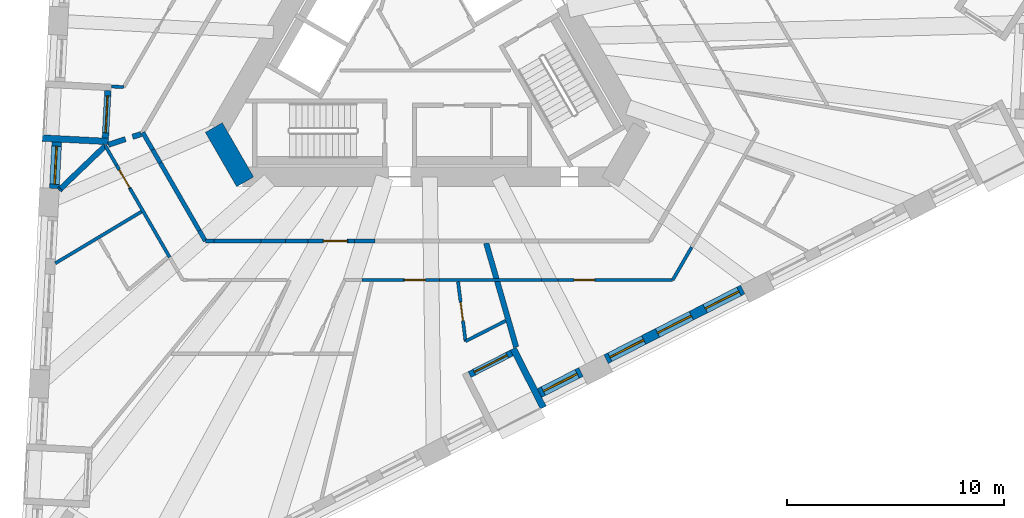
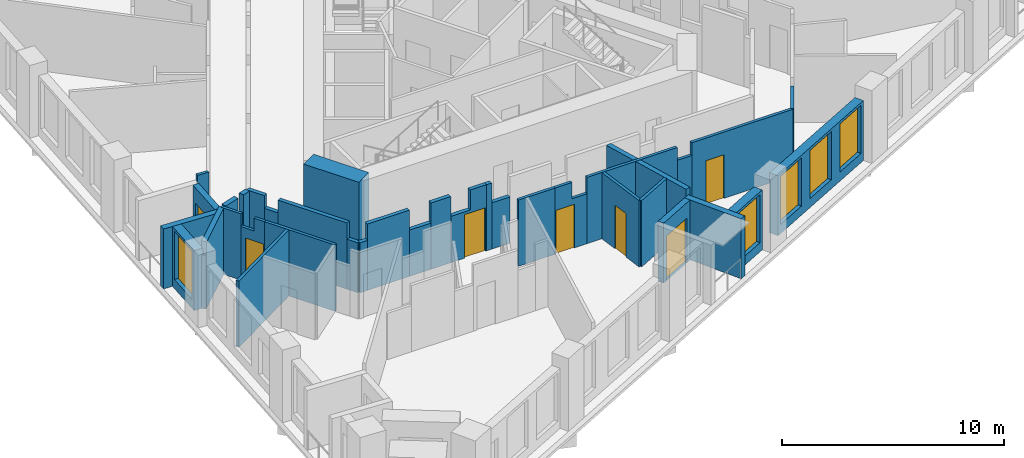
# One storey, part 3 of 13: 37 walls, 7 doors, 5 windows, 12 openings.
"""IFC4 building model written with IfcOpenShell, lengths in metres."""

import ifcopenshell
import ifcopenshell.guid

model = None  # the IFC model being written
_history = None  # IfcOwnerHistory: only IFC2X3 demands one
_inside = {}  # id of a spatial element -> (the spatial element, [elements in it])
_under = {}  # id of a project, library or spatial element -> (it, [spatial elements below it])
_declared = {}  # id of a project -> (the project, [libraries it declares])
_typed = {}  # id of a type object -> (the type object, [elements of that type])
_made_of = {}  # id of a material, layer set ... -> (it, [elements and type objects made of it])


def new_model(schema):
    """Start an empty IFC model of exactly this schema.

    Asked for "IFC4X3", IfcOpenShell would pick the latest addendum, in which some entities
    have other attributes; the version numbers below select the first issue.
    IFC2X3 requires an IfcOwnerHistory on every rooted entity: one is made here for all.
    """
    global model, _history
    if schema == "IFC4X3":
        model = ifcopenshell.file(schema_version=(4, 3, 0, 0))
    else:
        model = ifcopenshell.file(schema=schema)
    _inside.clear()
    _under.clear()
    _declared.clear()
    _typed.clear()
    _made_of.clear()
    _history = None
    if model.schema == "IFC2X3":
        org = make("IfcOrganization", Name="unknown")
        user = make(
            "IfcPersonAndOrganization",
            ThePerson=make("IfcPerson", FamilyName="unknown"),
            TheOrganization=org,
        )
        app = make(
            "IfcApplication",
            ApplicationDeveloper=org,
            Version="unknown",
            ApplicationFullName="unknown",
            ApplicationIdentifier="unknown",
        )
        _history = make(
            "IfcOwnerHistory",
            OwningUser=user,
            OwningApplication=app,
            ChangeAction="ADDED",
            CreationDate=0,
        )
    return model


def make(cls, **values):
    """One entity of the class cls with the attributes given. An attribute that is None is left unset."""
    return model.create_entity(
        cls, **{name: value for name, value in values.items() if value is not None}
    )


def rooted(cls, **values):
    """An entity with a GlobalId (a new one), such as an element, a storey or a relation."""
    return make(cls, GlobalId=ifcopenshell.guid.new(), OwnerHistory=_history, **values)


def si_unit(unit_type, name, prefix=None):
    """IfcSIUnit, for example si_unit("LENGTHUNIT", "METRE", prefix="MILLI")."""
    return make("IfcSIUnit", UnitType=unit_type, Prefix=prefix, Name=name)


def assignment(units):
    """IfcUnitAssignment: the units of a project."""
    return None if units is None else make("IfcUnitAssignment", Units=units)


def point(xyz):
    """IfcCartesianPoint."""
    return None if xyz is None else make("IfcCartesianPoint", Coordinates=xyz)


def direction(xyz):
    """IfcDirection."""
    return None if xyz is None else make("IfcDirection", DirectionRatios=xyz)


def frame(location, z_axis=None, x_axis=None):
    """IfcAxis2Placement3D, a coordinate frame: its origin and axes. An axis left out is left unset."""
    return make(
        "IfcAxis2Placement3D",
        Location=point(location),
        Axis=direction(z_axis),
        RefDirection=direction(x_axis),
    )


def frame_2d(location, x_axis=None):
    """IfcAxis2Placement2D, a coordinate frame in the plane: its origin and x axis."""
    return make(
        "IfcAxis2Placement2D", Location=point(location), RefDirection=direction(x_axis)
    )


def origin():
    """The frame at (0, 0, 0) with its axes left unset."""
    return frame((0.0, 0.0, 0.0))


def place(relative_to, where):
    """IfcLocalPlacement: puts the frame where relative to a parent placement (None: the world)."""
    return make(
        "IfcLocalPlacement", PlacementRelTo=relative_to, RelativePlacement=where
    )


def context(
    kind, dimensions, precision=None, world=None, true_north=None, identifier=None
):
    """IfcGeometricRepresentationContext, for example the 3D "Model" context."""
    return make(
        "IfcGeometricRepresentationContext",
        ContextIdentifier=identifier,
        ContextType=kind,
        CoordinateSpaceDimension=dimensions,
        Precision=precision,
        WorldCoordinateSystem=world,
        TrueNorth=true_north,
    )


def subcontext(parent, identifier, kind, view, scale=None):
    """IfcGeometricRepresentationSubContext, for example "Body" below "Model"."""
    return make(
        "IfcGeometricRepresentationSubContext",
        ContextIdentifier=identifier,
        ContextType=kind,
        ParentContext=parent,
        TargetScale=scale,
        TargetView=view,
    )


def project(units=None, contexts=None):
    """IfcProject with its units and contexts."""
    return rooted(
        "IfcProject",
        Name="project",
        RepresentationContexts=contexts,
        UnitsInContext=assignment(units),
    )


def spatial(cls, under=None, at=None, **own):
    """A site, building, storey or space (cls), placed at a placement, below another one or the project."""
    s = rooted(cls, ObjectPlacement=at, **own)
    if under is not None:
        _under.setdefault(under.id(), (under, []))[1].append(s)
    return s


def polyline(points):
    """IfcPolyline through the points."""
    return make("IfcPolyline", Points=[point(p) for p in points])


def profile(cls, at=None, kind="AREA", **sizes):
    """A parametric profile (cls). Its sizes go by their IFC names, for example OverallWidth=200.0."""
    return make(cls, ProfileType=kind, Position=at, **sizes)


def rectangle(**sizes):
    """IfcRectangleProfileDef."""
    return profile("IfcRectangleProfileDef", **sizes)


def outline(outer, holes=None, kind="AREA"):
    """IfcArbitraryClosedProfileDef: a profile drawn as a closed curve; with holes, ...WithVoids."""
    if holes is None:
        return make("IfcArbitraryClosedProfileDef", ProfileType=kind, OuterCurve=outer)
    return make(
        "IfcArbitraryProfileDefWithVoids",
        ProfileType=kind,
        OuterCurve=outer,
        InnerCurves=holes,
    )


def extrude(swept, where, along, depth):
    """IfcExtrudedAreaSolid: the profile swept, set in the frame where, extruded along a direction by depth."""
    return make(
        "IfcExtrudedAreaSolid",
        SweptArea=swept,
        Position=where,
        ExtrudedDirection=direction(along),
        Depth=depth,
    )


def shape(context_of_items, identifier, shape_type, items):
    """IfcShapeRepresentation: the items that make up one representation, for example the "Body"."""
    return make(
        "IfcShapeRepresentation",
        ContextOfItems=context_of_items,
        RepresentationIdentifier=identifier,
        RepresentationType=shape_type,
        Items=items,
    )


def material(Name=None, Category=None):
    """IfcMaterial."""
    return make("IfcMaterial", Name=Name, Category=Category)


def layer(
    of_material, thickness, ventilated=None, Name=None, Category=None, Priority=None
):
    """IfcMaterialLayer: one layer of a wall or slab, of a material (None: an air gap)."""
    return make(
        "IfcMaterialLayer",
        Material=of_material,
        LayerThickness=thickness,
        IsVentilated=ventilated,
        Name=Name,
        Category=Category,
        Priority=Priority,
    )


def layer_set(layers, Name=None):
    """IfcMaterialLayerSet."""
    return make("IfcMaterialLayerSet", MaterialLayers=layers, LayerSetName=Name)


def made_of(thing, what):
    """Note that an element or type object is made of a material, layer set ...; save() writes the relation."""
    if what is not None:
        _made_of.setdefault(what.id(), (what, []))[1].append(thing)
    return thing


def type_object(cls, material=None, **own):
    """A type object (cls), such as IfcWallType, which elements share."""
    return made_of(rooted(cls, **own), material)


def element(
    cls,
    number,
    at=None,
    inside=None,
    cuts=None,
    type_object=None,
    material=None,
    context=None,
    identifier="Body",
    shape_type=None,
    held_by="IfcProductDefinitionShape",
    body=None,
    shapes=None,
    **own,
):
    """One element of the class cls, such as IfcWall. Its Tag is "e" and its number.

    at: its placement. inside: the storey or other place that contains it. cuts: it is an
    opening in that element (IfcRelVoidsElement). A single representation is given by context,
    identifier, shape_type and body (its items); several are given by shapes. held_by: the class
    of the entity that holds the representations. save() writes the other relations.
    """
    e = rooted(cls, Tag="e%d" % number, ObjectPlacement=at, **own)
    if body is not None:
        shapes = [shape(context, identifier, shape_type, body)]
    if shapes is not None:
        e.Representation = make(held_by, Representations=shapes)
    if inside is not None:
        _inside.setdefault(inside.id(), (inside, []))[1].append(e)
    if cuts is not None:
        rooted(
            "IfcRelVoidsElement", RelatingBuildingElement=cuts, RelatedOpeningElement=e
        )
    if type_object is not None:
        _typed.setdefault(type_object.id(), (type_object, []))[1].append(e)
    return made_of(e, material)


def fill(opening, filler):
    """IfcRelFillsElement: the door or window that sits in an opening."""
    return rooted(
        "IfcRelFillsElement",
        RelatingOpeningElement=opening,
        RelatedBuildingElement=filler,
    )


def aggregate(whole, parts):
    """IfcRelAggregates: a whole, such as a stair, and the parts it consists of."""
    return rooted("IfcRelAggregates", RelatingObject=whole, RelatedObjects=parts)


def save(model, path):
    """Write the relations noted so far, then the file.

    IfcRelAggregates (storeys below a building ...), IfcRelContainedInSpatialStructure (elements
    in a storey), IfcRelDefinesByType, IfcRelAssociatesMaterial and IfcRelDeclares: one each for
    every whole, place, type object, material and project.
    """
    for whole, parts in _under.values():
        aggregate(whole, parts)
    for where, things in _inside.values():
        rooted(
            "IfcRelContainedInSpatialStructure",
            RelatedElements=things,
            RelatingStructure=where,
        )
    for kind, things in _typed.values():
        rooted("IfcRelDefinesByType", RelatedObjects=things, RelatingType=kind)
    for what, things in _made_of.values():
        rooted("IfcRelAssociatesMaterial", RelatedObjects=things, RelatingMaterial=what)
    for by, libraries in _declared.values():
        rooted("IfcRelDeclares", RelatingContext=by, RelatedDefinitions=libraries)
    model.write(path)


model = new_model("IFC4")

# Units and contexts
model_context = context("Model", 3, precision=1e-05, world=origin(), true_north=direction((0.0, 1.0)))
body_context = subcontext(model_context, "Body", "Model", "MODEL_VIEW")
ifc_project = project(units=[si_unit("LENGTHUNIT", "METRE"), si_unit("AREAUNIT", "SQUARE_METRE"), si_unit("VOLUMEUNIT", "CUBIC_METRE"), si_unit("PLANEANGLEUNIT", "RADIAN"), si_unit("MASSUNIT", "GRAM", prefix="KILO")], contexts=[model_context])

# Site, building, storey
site_placement = place(None, origin())
site = spatial("IfcSite", under=ifc_project, at=site_placement, CompositionType="ELEMENT")
building_placement = place(site_placement, origin())
building = spatial("IfcBuilding", under=site, at=building_placement, Name="Tramontana Tower", CompositionType="ELEMENT")
storey_placement = place(building_placement, frame((0.0, 0.0, 145.60009765625)))
storey = spatial("IfcBuildingStorey", under=building, at=storey_placement, Name="L33", CompositionType="ELEMENT", Elevation=145.60009765625)

# Walls
ifc_material_1 = material(Name="Concrete 70 MPa", Category="concrete")
ifc_layer_1 = layer(ifc_material_1, 0.89990234375)
ifc_layer_set_1 = layer_set([ifc_layer_1], Name="Core wall 900 70 MPa")
wall_type_1 = type_object("IfcWallType", Name="Core wall 900 70 MPa", PredefinedType="SHEAR", material=ifc_layer_set_1)
wall_1_placement = place(storey_placement, frame((-9.8583984375, -4.02490234375, 0.0), z_axis=(0.0, 0.0, 1.0), x_axis=(0.500059191753, -0.865991226713, 0.0)))
element("IfcWall", 1, at=wall_1_placement, inside=storey, type_object=wall_type_1, Name="Core wall C2 L33", PredefinedType="SHEAR", context=body_context, shape_type="SweptSolid", body=[
    extrude(rectangle(XDim=2.886962890625, YDim=0.89990234375, at=frame_2d((1.443359375, 0.0))), origin(), (0.0, 0.0, 1.0), 4.0),
])
ifc_material_2 = material(Name="Blockwork", Category="masonry")
ifc_layer_2 = layer(ifc_material_2, 0.199951171875)
ifc_layer_set_2 = layer_set([ifc_layer_2], Name="ENTRY WALL 200")
wall_type_2 = type_object("IfcWallType", Name="ENTRY WALL 200", PredefinedType="SOLIDWALL", material=ifc_layer_set_2)
wall_2_placement = place(storey_placement, frame((-2.441162109375, -9.25, 0.0), z_axis=(0.0, 0.0, 1.0), x_axis=(-1.0, 0.0, 0.0)))
element("IfcWall", 2, at=wall_2_placement, inside=storey, type_object=wall_type_2, Name="Wall v31-ew2-5", PredefinedType="SOLIDWALL", context=body_context, shape_type="SweptSolid", body=[
    extrude(rectangle(XDim=0.943603515625, YDim=0.199951171875, at=frame_2d((0.4716796875, 0.0))), origin(), (0.0, 0.0, 1.0), 2.5498046875),
])
wall_3_placement = place(storey_placement, frame((-3.384765625, -9.25, 0.0), z_axis=(0.0, 0.0, 1.0), x_axis=(-1.0, 0.0, 0.0)))
element("IfcWall", 3, at=wall_3_placement, inside=storey, type_object=wall_type_2, Name="Wall v31-ew2-6", PredefinedType="SOLIDWALL", context=body_context, shape_type="SweptSolid", body=[
    extrude(rectangle(XDim=0.280517578125, YDim=0.199951171875, at=frame_2d((0.14013671875, 0.0))), origin(), (0.0, 0.0, 1.0), 3.64990234375),
])

# Wall, opening, door
wall_4_placement = place(storey_placement, frame((-3.665283203125, -9.25, 0.0), z_axis=(0.0, 0.0, 1.0), x_axis=(-1.0, 0.0, 0.0)))
wall_4 = element("IfcWall", 4, at=wall_4_placement, inside=storey, type_object=wall_type_2, Name="Wall v31-ew2-7", PredefinedType="SOLIDWALL", context=body_context, shape_type="SweptSolid", body=[
    extrude(outline(polyline([(0.0, 0.0), (1.85693359375, 0.0), (1.85693359375, 2.5498046875), (0.833251953125, 2.5498046875), (0.833251953125, 3.64990234375), (0.0, 3.64990234375), (0.0, 0.0)])), frame((0.0, 0.10009765625, 0.0), z_axis=(0.0, -1.0, 0.0), x_axis=(1.0, 0.0, 0.0)), (0.0, 0.0, 1.0), 0.199951171875),
])
opening_1_placement = place(wall_4_placement, frame((0.050048828125, 0.0, 0.0)))
opening_1 = element("IfcOpeningElement", 5, at=opening_1_placement, cuts=wall_4, Name="Opening B3B-27", PredefinedType="OPENING", context=body_context, shape_type="SweptSolid", body=[
    extrude(rectangle(XDim=1.10009765625, YDim=2.39990234375, at=frame_2d((0.550048828125, 1.199951171875))), frame((0.0, 0.10986328125, 0.0), z_axis=(0.0, -1.0, 0.0), x_axis=(1.0, 0.0, 0.0)), (0.0, 0.0, 1.0), 0.219970703125),
])
ifc_material_3 = material(Name="Painted timber", Category="wood")
door_type_1 = type_object("IfcDoorType", Name="DOOR ENTRY 1100", OperationType="SINGLE_SWING_LEFT", PredefinedType="DOOR", material=ifc_material_3)
door_1_placement = place(opening_1_placement, origin())
door_1 = element("IfcDoor", 6, at=door_1_placement, inside=storey, type_object=door_type_1, Name="Door B3B-27", OperationType="SINGLE_SWING_LEFT", OverallHeight=2.39990234375, OverallWidth=1.10009765625, PredefinedType="DOOR", context=body_context, shape_type="SweptSolid", body=[
    extrude(rectangle(XDim=1.10009765625, YDim=2.39990234375, at=frame_2d((0.550048828125, 1.199951171875))), frame((0.0, 0.02490234375, 0.0), z_axis=(0.0, -1.0, 0.0), x_axis=(1.0, 0.0, 0.0)), (0.0, 0.0, 1.0), 0.050048828125),
])
fill(opening_1, door_1)

# Walls
wall_5_placement = place(storey_placement, frame((-5.522216796875, -9.25, 0.0), z_axis=(0.0, 0.0, 1.0), x_axis=(-1.0, 0.0, 0.0)))
element("IfcWall", 7, at=wall_5_placement, inside=storey, type_object=wall_type_2, Name="Wall v31-ew2-8", PredefinedType="SOLIDWALL", context=body_context, shape_type="SweptSolid", body=[
    extrude(rectangle(XDim=1.0224609375, YDim=0.199951171875, at=frame_2d((0.51123046875, 0.0))), origin(), (0.0, 0.0, 1.0), 3.64990234375),
])
wall_6_placement = place(storey_placement, frame((-6.544677734375, -9.25, 0.0), z_axis=(0.0, 0.0, 1.0), x_axis=(-1.0, 0.0, 0.0)))
element("IfcWall", 8, at=wall_6_placement, inside=storey, type_object=wall_type_2, Name="Wall v31-ew2-9", PredefinedType="SOLIDWALL", context=body_context, shape_type="SweptSolid", body=[
    extrude(rectangle(XDim=1.13525390625, YDim=0.199951171875, at=frame_2d((0.567626953125, 0.0))), origin(), (0.0, 0.0, 1.0), 2.5498046875),
])
wall_7_placement = place(storey_placement, frame((-7.679931640625, -9.25, 0.0), z_axis=(0.0, 0.0, 1.0), x_axis=(-1.0, 0.0, 0.0)))
element("IfcWall", 9, at=wall_7_placement, inside=storey, type_object=wall_type_2, Name="Wall v31-ew2-10", PredefinedType="SOLIDWALL", context=body_context, shape_type="SweptSolid", body=[
    extrude(rectangle(XDim=2.1787109375, YDim=0.199951171875, at=frame_2d((1.08935546875, 0.0))), origin(), (0.0, 0.0, 1.0), 3.64990234375),
])
wall_8_placement = place(storey_placement, frame((-9.858642578125, -9.25, 0.0), z_axis=(0.0, 0.0, 1.0), x_axis=(-1.0, 0.0, 0.0)))
element("IfcWall", 10, at=wall_8_placement, inside=storey, type_object=wall_type_2, Name="Wall v31-ew2-11", PredefinedType="SOLIDWALL", context=body_context, shape_type="SweptSolid", body=[
    extrude(rectangle(XDim=0.389404296875, YDim=0.199951171875, at=frame_2d((0.19482421875, 0.0))), origin(), (0.0, 0.0, 1.0), 2.75),
])
wall_9_placement = place(storey_placement, frame((-10.248046875, -9.25, 0.0), z_axis=(0.0, 0.0, 1.0), x_axis=(-0.499887958344, 0.866090081402, 0.0)))
element("IfcWall", 11, at=wall_9_placement, inside=storey, type_object=wall_type_2, Name="Wall v31-ew3-0", PredefinedType="SOLIDWALL", context=body_context, shape_type="SweptSolid", body=[
    extrude(rectangle(XDim=0.553466796875, YDim=0.199951171875, at=frame_2d((0.27685546875, 0.0))), origin(), (0.0, 0.0, 1.0), 2.75),
])
wall_10_placement = place(storey_placement, frame((-10.524658203125, -8.770751953125, 0.0), z_axis=(0.0, 0.0, 1.0), x_axis=(-0.500031425827, 0.866007259314, 0.0)))
element("IfcWall", 12, at=wall_10_placement, inside=storey, type_object=wall_type_2, Name="Wall v31-ew3-1", PredefinedType="SOLIDWALL", context=body_context, shape_type="SweptSolid", body=[
    extrude(rectangle(XDim=3.602294921875, YDim=0.199951171875, at=frame_2d((1.80126953125, 0.0))), origin(), (0.0, 0.0, 1.0), 3.64990234375),
])
wall_11_placement = place(storey_placement, frame((-12.325927734375, -5.651123046875, 0.0), z_axis=(0.0, 0.0, 1.0), x_axis=(-0.499752435038, 0.86616828831, 0.0)))
element("IfcWall", 13, at=wall_11_placement, inside=storey, type_object=wall_type_2, Name="Wall v31-ew3-2", PredefinedType="SOLIDWALL", context=body_context, shape_type="SweptSolid", body=[
    extrude(rectangle(XDim=0.704833984375, YDim=0.199951171875, at=frame_2d((0.3525390625, 0.0))), origin(), (0.0, 0.0, 1.0), 2.949951171875),
])
wall_12_placement = place(storey_placement, frame((-12.67822265625, -5.04052734375, 0.0), z_axis=(0.0, 0.0, 1.0), x_axis=(-0.500108273885, 0.865962882802, 0.0)))
element("IfcWall", 14, at=wall_12_placement, inside=storey, type_object=wall_type_2, Name="Wall v31-ew3-3", PredefinedType="SOLIDWALL", context=body_context, shape_type="SweptSolid", body=[
    extrude(rectangle(XDim=0.912841796875, YDim=0.199951171875, at=frame_2d((0.45654296875, 0.0))), origin(), (0.0, 0.0, 1.0), 3.64990234375),
])

# Wall, opening, window
ifc_material_4 = material(Name="Precast concrete 60 MPa", Category="concrete")
ifc_layer_3 = layer(ifc_material_4, 0.449951171875)
ifc_layer_set_3 = layer_set([ifc_layer_3], Name="Precast concrete 60 MPa, 450 mm")
wall_type_3 = type_object("IfcWallType", Name="EW1 Stone-faced precast wall 450", PredefinedType="SOLIDWALL", material=ifc_layer_set_3)
wall_13_placement = place(storey_placement, frame((-17.093994140625, -4.69287109375, 0.0), z_axis=(0.0, 0.0, 1.0), x_axis=(-0.052355281723, -0.998628521762, 0.0)))
wall_13 = element("IfcWall", 15, at=wall_13_placement, inside=storey, type_object=wall_type_3, Name="External wall L33 face 0 bay 4", PredefinedType="SOLIDWALL", context=body_context, shape_type="SweptSolid", body=[
    extrude(rectangle(XDim=2.140380859375, YDim=0.449951171875, at=frame_2d((1.0703125, 0.0))), origin(), (0.0, 0.0, 1.0), 3.2998046875),
])
opening_2_placement = place(wall_13_placement, frame((0.1953125, 0.0, 0.5)))
opening_2 = element("IfcOpeningElement", 16, at=opening_2_placement, cuts=wall_13, Name="Opening M2", PredefinedType="OPENING", context=body_context, shape_type="SweptSolid", body=[
    extrude(rectangle(XDim=1.75, YDim=2.64990234375, at=frame_2d((0.875, 1.324951171875))), frame((0.0, 0.23486328125, 0.0), z_axis=(0.0, -1.0, 0.0), x_axis=(1.0, 0.0, 0.0)), (0.0, 0.0, 1.0), 0.469970703125),
])
ifc_material_5 = material(Name="Aluminum frame, double glazing unit", Category="aluminium")
window_type = type_object("IfcWindowType", Name="M2 Window 1.75 x 2.65", PartitioningType="SINGLE_PANEL", PredefinedType="WINDOW", material=ifc_material_5)
window_1_placement = place(opening_2_placement, origin())
window_1 = element("IfcWindow", 17, at=window_1_placement, inside=storey, type_object=window_type, Name="Window M2 L33 face 0 module 12", OverallHeight=2.64990234375, OverallWidth=1.75, PartitioningType="SINGLE_PANEL", PredefinedType="WINDOW", context=body_context, shape_type="SweptSolid", body=[
    extrude(rectangle(XDim=1.75, YDim=2.64990234375, at=frame_2d((0.875, 1.324951171875))), frame((0.0, 0.030029296875, 0.0), z_axis=(0.0, -1.0, 0.0), x_axis=(1.0, 0.0, 0.0)), (0.0, 0.0, 1.0), 0.06005859375),
])
fill(opening_2, window_1)

wall_14_placement = place(storey_placement, frame((5.152099609375, -16.258056640625, 0.0), z_axis=(0.0, 0.0, 1.0), x_axis=(0.891025569559, 0.453953119156, 0.0)))
wall_14 = element("IfcWall", 18, at=wall_14_placement, inside=storey, type_object=wall_type_3, Name="External wall L33 face 1 bay 3", PredefinedType="SOLIDWALL", context=body_context, shape_type="SweptSolid", body=[
    extrude(rectangle(XDim=2.140380859375, YDim=0.449951171875, at=frame_2d((1.0703125, 0.0))), origin(), (0.0, 0.0, 1.0), 3.2998046875),
])
opening_3_placement = place(wall_14_placement, frame((0.1953125, 0.0, 0.5)))
opening_3 = element("IfcOpeningElement", 19, at=opening_3_placement, cuts=wall_14, Name="Opening M2", PredefinedType="OPENING", context=body_context, shape_type="SweptSolid", body=[
    extrude(rectangle(XDim=1.75, YDim=2.64990234375, at=frame_2d((0.875, 1.324951171875))), frame((0.0, 0.23486328125, 0.0), z_axis=(0.0, -1.0, 0.0), x_axis=(1.0, 0.0, 0.0)), (0.0, 0.0, 1.0), 0.469970703125),
])
window_2_placement = place(opening_3_placement, origin())
window_2 = element("IfcWindow", 20, at=window_2_placement, inside=storey, type_object=window_type, Name="Window M2 L33 face 1 module 9", OverallHeight=2.64990234375, OverallWidth=1.75, PartitioningType="SINGLE_PANEL", PredefinedType="WINDOW", context=body_context, shape_type="SweptSolid", body=[
    extrude(rectangle(XDim=1.75, YDim=2.64990234375, at=frame_2d((0.875, 1.324951171875))), frame((0.0, 0.030029296875, 0.0), z_axis=(0.0, -1.0, 0.0), x_axis=(1.0, 0.0, 0.0)), (0.0, 0.0, 1.0), 0.06005859375),
])
fill(opening_3, window_2)

# Wall, openings, windows
wall_15_placement = place(storey_placement, frame((8.217529296875, -14.696044921875, 0.0), z_axis=(0.0, 0.0, 1.0), x_axis=(0.891004189171, 0.45399508244, 0.0)))
wall_15 = element("IfcWall", 21, at=wall_15_placement, inside=storey, type_object=wall_type_3, Name="External wall L33 face 1 bay 4", PredefinedType="SOLIDWALL", context=body_context, shape_type="SweptSolid", body=[
    extrude(rectangle(XDim=7.071533203125, YDim=0.449951171875, at=frame_2d((3.53564453125, 0.0))), origin(), (0.0, 0.0, 1.0), 3.2998046875),
])
opening_4_placement = place(wall_15_placement, frame((0.1953125, 0.0, 0.5)))
opening_4 = element("IfcOpeningElement", 22, at=opening_4_placement, cuts=wall_15, Name="Opening M2", PredefinedType="OPENING", context=body_context, shape_type="SweptSolid", body=[
    extrude(rectangle(XDim=1.75, YDim=2.64990234375, at=frame_2d((0.875, 1.324951171875))), frame((0.0, 0.23486328125, 0.0), z_axis=(0.0, -1.0, 0.0), x_axis=(1.0, 0.0, 0.0)), (0.0, 0.0, 1.0), 0.469970703125),
])
opening_5_placement = place(wall_15_placement, frame((2.660888671875, 0.0, 0.5)))
opening_5 = element("IfcOpeningElement", 23, at=opening_5_placement, cuts=wall_15, Name="Opening M2", PredefinedType="OPENING", context=body_context, shape_type="SweptSolid", body=[
    extrude(rectangle(XDim=1.75, YDim=2.64990234375, at=frame_2d((0.875, 1.324951171875))), frame((0.0, 0.23486328125, 0.0), z_axis=(0.0, -1.0, 0.0), x_axis=(1.0, 0.0, 0.0)), (0.0, 0.0, 1.0), 0.469970703125),
])
opening_6_placement = place(wall_15_placement, frame((5.126220703125, 0.0, 0.5)))
opening_6 = element("IfcOpeningElement", 24, at=opening_6_placement, cuts=wall_15, Name="Opening M2", PredefinedType="OPENING", context=body_context, shape_type="SweptSolid", body=[
    extrude(rectangle(XDim=1.75, YDim=2.64990234375, at=frame_2d((0.875, 1.324951171875))), frame((0.0, 0.23486328125, 0.0), z_axis=(0.0, -1.0, 0.0), x_axis=(1.0, 0.0, 0.0)), (0.0, 0.0, 1.0), 0.469970703125),
])
window_3_placement = place(opening_4_placement, origin())
window_3 = element("IfcWindow", 25, at=window_3_placement, inside=storey, type_object=window_type, Name="Window M2 L33 face 1 module 10", OverallHeight=2.64990234375, OverallWidth=1.75, PartitioningType="SINGLE_PANEL", PredefinedType="WINDOW", context=body_context, shape_type="SweptSolid", body=[
    extrude(rectangle(XDim=1.75, YDim=2.64990234375, at=frame_2d((0.875, 1.324951171875))), frame((0.0, 0.030029296875, 0.0), z_axis=(0.0, -1.0, 0.0), x_axis=(1.0, 0.0, 0.0)), (0.0, 0.0, 1.0), 0.06005859375),
])
fill(opening_4, window_3)
window_4_placement = place(opening_5_placement, origin())
window_4 = element("IfcWindow", 26, at=window_4_placement, inside=storey, type_object=window_type, Name="Window M2 L33 face 1 module 11", OverallHeight=2.64990234375, OverallWidth=1.75, PartitioningType="SINGLE_PANEL", PredefinedType="WINDOW", context=body_context, shape_type="SweptSolid", body=[
    extrude(rectangle(XDim=1.75, YDim=2.64990234375, at=frame_2d((0.875, 1.324951171875))), frame((0.0, 0.030029296875, 0.0), z_axis=(0.0, -1.0, 0.0), x_axis=(1.0, 0.0, 0.0)), (0.0, 0.0, 1.0), 0.06005859375),
])
fill(opening_5, window_4)
window_5_placement = place(opening_6_placement, origin())
window_5 = element("IfcWindow", 27, at=window_5_placement, inside=storey, type_object=window_type, Name="Window M2 L33 face 1 module 12", OverallHeight=2.64990234375, OverallWidth=1.75, PartitioningType="SINGLE_PANEL", PredefinedType="WINDOW", context=body_context, shape_type="SweptSolid", body=[
    extrude(rectangle(XDim=1.75, YDim=2.64990234375, at=frame_2d((0.875, 1.324951171875))), frame((0.0, 0.030029296875, 0.0), z_axis=(0.0, -1.0, 0.0), x_axis=(1.0, 0.0, 0.0)), (0.0, 0.0, 1.0), 0.06005859375),
])
fill(opening_6, window_5)

# Wall, opening, door
ifc_material_6 = material(Name="Precast concrete 60 MPa", Category="concrete")
ifc_layer_4 = layer(ifc_material_6, 0.300048828125)
ifc_layer_set_4 = layer_set([ifc_layer_4], Name="LW1 Stone-faced loggia wall 300")
wall_type_4 = type_object("IfcWallType", Name="LW1 Stone-faced loggia wall 300", PredefinedType="SOLIDWALL", material=ifc_layer_set_4)
wall_16_placement = place(storey_placement, frame((-14.74169921875, -2.322265625, 0.0), z_axis=(0.0, 0.0, 1.0), x_axis=(-0.052383338583, -0.998627050424, 0.0)))
wall_16 = element("IfcWall", 28, at=wall_16_placement, inside=storey, type_object=wall_type_4, Name="Loggia wall L33 G3S0.10", PredefinedType="SOLIDWALL", context=body_context, shape_type="SweptSolid", body=[
    extrude(rectangle(XDim=2.1904296875, YDim=0.300048828125, at=frame_2d((1.09521484375, 0.0))), origin(), (0.0, 0.0, 1.0), 3.2998046875),
])
opening_7_placement = place(wall_16_placement, frame((0.245361328125, 0.0, 0.0)))
opening_7 = element("IfcOpeningElement", 29, at=opening_7_placement, cuts=wall_16, Name="Opening BD-3S0-10", PredefinedType="OPENING", context=body_context, shape_type="SweptSolid", body=[
    extrude(rectangle(XDim=1.699951171875, YDim=2.449951171875, at=frame_2d((0.85009765625, 1.22509765625))), frame((0.0, 0.159912109375, 0.0), z_axis=(0.0, -1.0, 0.0), x_axis=(1.0, 0.0, 0.0)), (0.0, 0.0, 1.0), 0.320068359375),
])
ifc_material_7 = material(Name="Aluminum frame, double glazing unit", Category="aluminium")
door_type_2 = type_object("IfcDoorType", Name="BD2 Sliding door 1.7 x 2.45", OperationType="SLIDING_TO_LEFT", PredefinedType="DOOR", material=ifc_material_7)
door_2_placement = place(opening_7_placement, origin())
door_2 = element("IfcDoor", 30, at=door_2_placement, inside=storey, type_object=door_type_2, Name="Loggia door L33 G3S0.10", OperationType="SLIDING_TO_LEFT", OverallHeight=2.449951171875, OverallWidth=1.699951171875, PredefinedType="DOOR", context=body_context, shape_type="SweptSolid", body=[
    extrude(rectangle(XDim=1.699951171875, YDim=2.449951171875, at=frame_2d((0.85009765625, 1.22509765625))), frame((0.0, 0.02490234375, 0.0), z_axis=(0.0, -1.0, 0.0), x_axis=(1.0, 0.0, 0.0)), (0.0, 0.0, 1.0), 0.050048828125),
])
fill(opening_7, door_2)

# Wall
wall_17_placement = place(storey_placement, frame((-17.76025390625, -4.5078125, 0.0), z_axis=(0.0, 0.0, 1.0), x_axis=(0.998633044326, -0.052268946613, 0.0)))
element("IfcWall", 31, at=wall_17_placement, inside=storey, type_object=wall_type_4, Name="Loggia return L33 G3S0.10b", PredefinedType="SOLIDWALL", context=body_context, shape_type="SweptSolid", body=[
    extrude(rectangle(XDim=3.050048828125, YDim=0.300048828125, at=frame_2d((1.52490234375, 0.0))), origin(), (0.0, 0.0, 1.0), 3.2998046875),
])

# Wall, opening, door
wall_18_placement = place(storey_placement, frame((1.9228515625, -15.40625, 0.0), z_axis=(0.0, 0.0, 1.0), x_axis=(0.891013126725, 0.4539775413, 0.0)))
wall_18 = element("IfcWall", 32, at=wall_18_placement, inside=storey, type_object=wall_type_4, Name="Loggia wall L33 G3S1.7", PredefinedType="SOLIDWALL", context=body_context, shape_type="SweptSolid", body=[
    extrude(rectangle(XDim=2.1904296875, YDim=0.300048828125, at=frame_2d((1.09521484375, 0.0))), origin(), (0.0, 0.0, 1.0), 3.2998046875),
])
opening_8_placement = place(wall_18_placement, frame((0.245361328125, 0.0, 0.0)))
opening_8 = element("IfcOpeningElement", 33, at=opening_8_placement, cuts=wall_18, Name="Opening BD-3S1-07", PredefinedType="OPENING", context=body_context, shape_type="SweptSolid", body=[
    extrude(rectangle(XDim=1.699951171875, YDim=2.449951171875, at=frame_2d((0.85009765625, 1.22509765625))), frame((0.0, 0.159912109375, 0.0), z_axis=(0.0, -1.0, 0.0), x_axis=(1.0, 0.0, 0.0)), (0.0, 0.0, 1.0), 0.320068359375),
])
door_3_placement = place(opening_8_placement, origin())
door_3 = element("IfcDoor", 34, at=door_3_placement, inside=storey, type_object=door_type_2, Name="Loggia door L33 G3S1.7", OperationType="SLIDING_TO_LEFT", OverallHeight=2.449951171875, OverallWidth=1.699951171875, PredefinedType="DOOR", context=body_context, shape_type="SweptSolid", body=[
    extrude(rectangle(XDim=1.699951171875, YDim=2.449951171875, at=frame_2d((0.85009765625, 1.22509765625))), frame((0.0, 0.02490234375, 0.0), z_axis=(0.0, -1.0, 0.0), x_axis=(1.0, 0.0, 0.0)), (0.0, 0.0, 1.0), 0.050048828125),
])
fill(opening_8, door_3)

# Walls
wall_19_placement = place(storey_placement, frame((5.32470703125, -16.927490234375, 0.0), z_axis=(0.0, 0.0, 1.0), x_axis=(-0.453956959009, 0.891023613249, 0.0)))
element("IfcWall", 35, at=wall_19_placement, inside=storey, type_object=wall_type_4, Name="Loggia return L33 G3S1.7b", PredefinedType="SOLIDWALL", context=body_context, shape_type="SweptSolid", body=[
    extrude(rectangle(XDim=3.0498046875, YDim=0.300048828125, at=frame_2d((1.52490234375, 0.0))), origin(), (0.0, 0.0, 1.0), 3.2998046875),
])
ifc_material_8 = material(Name="Gypsum board partition")
ifc_layer_5 = layer(ifc_material_8, 0.14990234375)
ifc_layer_set_5 = layer_set([ifc_layer_5], Name="PARTITION 150")
wall_type_5 = type_object("IfcWallType", Name="PARTITION 150", PredefinedType="PARTITIONING", material=ifc_layer_set_5)
wall_20_placement = place(storey_placement, frame((-17.161376953125, -10.278076171875, 0.0), z_axis=(0.0, 0.0, 1.0), x_axis=(0.857883773594, 0.513843780739, 0.0)))
element("IfcWall", 36, at=wall_20_placement, inside=storey, type_object=wall_type_5, Name="Wall v31-pw00", PredefinedType="PARTITIONING", context=body_context, shape_type="SweptSolid", body=[
    extrude(rectangle(XDim=4.626708984375, YDim=0.14990234375, at=frame_2d((2.3134765625, 0.0))), origin(), (0.0, 0.0, 1.0), 3.64990234375),
])
wall_21_placement = place(storey_placement, frame((-14.581298828125, -2.13037109375, 0.0), z_axis=(0.0, 0.0, 1.0), x_axis=(0.998630722964, -0.052313278929, 0.0)))
element("IfcWall", 37, at=wall_21_placement, inside=storey, type_object=wall_type_5, Name="Wall v31-pw03", PredefinedType="PARTITIONING", context=body_context, shape_type="SweptSolid", body=[
    extrude(rectangle(XDim=0.573974609375, YDim=0.14990234375, at=frame_2d((0.287109375, 0.0))), origin(), (0.0, 0.0, 1.0), 3.64990234375),
])
wall_22_placement = place(storey_placement, frame((-11.894287109375, -9.99853515625, 0.0), z_axis=(0.0, 0.0, 1.0), x_axis=(-0.499992475648, 0.866029747927, 0.0)))
element("IfcWall", 38, at=wall_22_placement, inside=storey, type_object=wall_type_5, Name="Wall v31-pw11-2", PredefinedType="PARTITIONING", context=body_context, shape_type="SweptSolid", body=[
    extrude(rectangle(XDim=3.65234375, YDim=0.14990234375, at=frame_2d((1.826171875, 0.0))), origin(), (0.0, 0.0, 1.0), 3.64990234375),
])

# Wall, opening, door
wall_23_placement = place(storey_placement, frame((-13.720458984375, -6.83544921875, 0.0), z_axis=(0.0, 0.0, 1.0), x_axis=(-0.499938866099, 0.866060696582, 0.0)))
wall_23 = element("IfcWall", 39, at=wall_23_placement, inside=storey, type_object=wall_type_5, Name="Wall v31-pw11-3", PredefinedType="PARTITIONING", context=body_context, shape_type="SweptSolid", body=[
    extrude(outline(polyline([(0.0, 0.0), (1.237060546875, 0.0), (1.237060546875, 2.949951171875), (0.55712890625, 2.949951171875), (0.55712890625, 3.64990234375), (0.0, 3.64990234375), (0.0, 0.0)])), frame((0.0, 0.074951171875, 0.0), z_axis=(0.0, -1.0, 0.0), x_axis=(1.0, 0.0, 0.0)), (0.0, 0.0, 1.0), 0.14990234375),
])
opening_9_placement = place(wall_23_placement, frame((0.050048828125, 0.0, 0.0)))
opening_9 = element("IfcOpeningElement", 40, at=opening_9_placement, cuts=wall_23, Name="Opening B3B-13", PredefinedType="OPENING", context=body_context, shape_type="SweptSolid", body=[
    extrude(rectangle(XDim=0.949951171875, YDim=2.39990234375, at=frame_2d((0.47509765625, 1.199951171875))), frame((0.0, 0.0849609375, 0.0), z_axis=(0.0, -1.0, 0.0), x_axis=(1.0, 0.0, 0.0)), (0.0, 0.0, 1.0), 0.169921875),
])
ifc_material_9 = material(Name="Painted timber", Category="wood")
door_type_3 = type_object("IfcDoorType", Name="DOOR ROOM 950", OperationType="SINGLE_SWING_LEFT", PredefinedType="DOOR", material=ifc_material_9)
door_4_placement = place(opening_9_placement, origin())
door_4 = element("IfcDoor", 41, at=door_4_placement, inside=storey, type_object=door_type_3, Name="Door B3B-13", OperationType="SINGLE_SWING_LEFT", OverallHeight=2.39990234375, OverallWidth=0.949951171875, PredefinedType="DOOR", context=body_context, shape_type="SweptSolid", body=[
    extrude(rectangle(XDim=0.949951171875, YDim=2.39990234375, at=frame_2d((0.47509765625, 1.199951171875))), frame((0.0, 0.02490234375, 0.0), z_axis=(0.0, -1.0, 0.0), x_axis=(1.0, 0.0, 0.0)), (0.0, 0.0, 1.0), 0.050048828125),
])
fill(opening_9, door_4)

# Wall
wall_24_placement = place(storey_placement, frame((-14.3388671875, -5.76416015625, 0.0), z_axis=(0.0, 0.0, 1.0), x_axis=(-0.500121408466, 0.865955297226, 0.0)))
element("IfcWall", 42, at=wall_24_placement, inside=storey, type_object=wall_type_5, Name="Wall v31-pw11-4", PredefinedType="PARTITIONING", context=body_context, shape_type="SweptSolid", body=[
    extrude(rectangle(XDim=1.041748046875, YDim=0.14990234375, at=frame_2d((0.52099609375, 0.0))), origin(), (0.0, 0.0, 1.0), 3.64990234375),
])

# Wall, opening, door
wall_25_placement = place(storey_placement, frame((1.39599609375, -11.125, 0.0), z_axis=(0.0, 0.0, 1.0), x_axis=(0.124544948095, -0.992213966796, 0.0)))
wall_25 = element("IfcWall", 43, at=wall_25_placement, inside=storey, type_object=wall_type_5, Name="Wall v31-pw26", PredefinedType="PARTITIONING", context=body_context, shape_type="SweptSolid", body=[
    extrude(rectangle(XDim=2.767822265625, YDim=0.14990234375, at=frame_2d((1.3837890625, 0.0))), origin(), (0.0, 0.0, 1.0), 3.64990234375),
])
opening_10_placement = place(wall_25_placement, frame((0.958984375, 0.0, 0.0)))
opening_10 = element("IfcOpeningElement", 44, at=opening_10_placement, cuts=wall_25, Name="Opening B3B-16", PredefinedType="OPENING", context=body_context, shape_type="SweptSolid", body=[
    extrude(rectangle(XDim=0.85009765625, YDim=2.39990234375, at=frame_2d((0.425048828125, 1.199951171875))), frame((0.0, 0.0849609375, 0.0), z_axis=(0.0, -1.0, 0.0), x_axis=(1.0, 0.0, 0.0)), (0.0, 0.0, 1.0), 0.169921875),
])
ifc_material_10 = material(Name="Painted timber", Category="wood")
door_type_4 = type_object("IfcDoorType", Name="DOOR BATH 850", OperationType="SINGLE_SWING_LEFT", PredefinedType="DOOR", material=ifc_material_10)
door_5_placement = place(opening_10_placement, origin())
door_5 = element("IfcDoor", 45, at=door_5_placement, inside=storey, type_object=door_type_4, Name="Door B3B-16", OperationType="SINGLE_SWING_RIGHT", OverallHeight=2.39990234375, OverallWidth=0.85009765625, PredefinedType="DOOR", context=body_context, shape_type="SweptSolid", body=[
    extrude(rectangle(XDim=0.85009765625, YDim=2.39990234375, at=frame_2d((0.425048828125, 1.199951171875))), frame((0.0, 0.02490234375, 0.0), z_axis=(0.0, -1.0, 0.0), x_axis=(1.0, 0.0, 0.0)), (0.0, 0.0, 1.0), 0.050048828125),
])
fill(opening_10, door_5)

# Wall
wall_26_placement = place(storey_placement, frame((3.59375, -12.92724609375, 0.0), z_axis=(0.0, 0.0, 1.0), x_axis=(-0.891020682523, -0.453962711372, 0.0)))
element("IfcWall", 46, at=wall_26_placement, inside=storey, type_object=wall_type_5, Name="Wall v31-pw28", PredefinedType="PARTITIONING", context=body_context, shape_type="SweptSolid", body=[
    extrude(rectangle(XDim=2.07958984375, YDim=0.14990234375, at=frame_2d((1.039794921875, 0.0))), origin(), (0.0, 0.0, 1.0), 3.64990234375),
])

# Wall, opening, door
wall_27_placement = place(storey_placement, frame((11.287109375, -11.050048828125, 0.0), z_axis=(0.0, 0.0, 1.0), x_axis=(-1.0, 0.0, 0.0)))
wall_27 = element("IfcWall", 47, at=wall_27_placement, inside=storey, type_object=wall_type_5, Name="Wall v31-pw35-0", PredefinedType="PARTITIONING", context=body_context, shape_type="SweptSolid", body=[
    extrude(rectangle(XDim=5.278076171875, YDim=0.14990234375, at=frame_2d((2.63916015625, 0.0))), origin(), (0.0, 0.0, 1.0), 3.64990234375),
])
opening_11_placement = place(wall_27_placement, frame((3.597412109375, 0.0, 0.0)))
opening_11 = element("IfcOpeningElement", 48, at=opening_11_placement, cuts=wall_27, Name="Opening B3B-20", PredefinedType="OPENING", context=body_context, shape_type="SweptSolid", body=[
    extrude(rectangle(XDim=0.949951171875, YDim=2.39990234375, at=frame_2d((0.47509765625, 1.199951171875))), frame((0.0, 0.0849609375, 0.0), z_axis=(0.0, -1.0, 0.0), x_axis=(1.0, 0.0, 0.0)), (0.0, 0.0, 1.0), 0.169921875),
])
door_6_placement = place(opening_11_placement, origin())
door_6 = element("IfcDoor", 49, at=door_6_placement, inside=storey, type_object=door_type_3, Name="Door B3B-20", OperationType="SINGLE_SWING_RIGHT", OverallHeight=2.39990234375, OverallWidth=0.949951171875, PredefinedType="DOOR", context=body_context, shape_type="SweptSolid", body=[
    extrude(rectangle(XDim=0.949951171875, YDim=2.39990234375, at=frame_2d((0.47509765625, 1.199951171875))), frame((0.0, 0.02490234375, 0.0), z_axis=(0.0, -1.0, 0.0), x_axis=(1.0, 0.0, 0.0)), (0.0, 0.0, 1.0), 0.050048828125),
])
fill(opening_11, door_6)

# Walls
wall_28_placement = place(storey_placement, frame((6.009033203125, -11.050048828125, 0.0), z_axis=(0.0, 0.0, 1.0), x_axis=(-1.0, 0.0, 0.0)))
element("IfcWall", 50, at=wall_28_placement, inside=storey, type_object=wall_type_5, Name="Wall v31-pw35-1", PredefinedType="PARTITIONING", context=body_context, shape_type="SweptSolid", body=[
    extrude(rectangle(XDim=0.757568359375, YDim=0.14990234375, at=frame_2d((0.37890625, 0.0))), origin(), (0.0, 0.0, 1.0), 2.949951171875),
])
wall_29_placement = place(storey_placement, frame((5.25146484375, -11.050048828125, 0.0), z_axis=(0.0, 0.0, 1.0), x_axis=(-1.0, 0.0, 0.0)))
element("IfcWall", 51, at=wall_29_placement, inside=storey, type_object=wall_type_5, Name="Wall v31-pw35-2", PredefinedType="PARTITIONING", context=body_context, shape_type="SweptSolid", body=[
    extrude(rectangle(XDim=4.7001953125, YDim=0.14990234375, at=frame_2d((2.35009765625, 0.0))), origin(), (0.0, 0.0, 1.0), 3.64990234375),
])

# Wall, opening, door
wall_30_placement = place(storey_placement, frame((0.55126953125, -11.050048828125, 0.0), z_axis=(0.0, 0.0, 1.0), x_axis=(-1.0, 0.0, 0.0)))
wall_30 = element("IfcWall", 52, at=wall_30_placement, inside=storey, type_object=wall_type_5, Name="Wall v31-pw35-3", PredefinedType="PARTITIONING", context=body_context, shape_type="SweptSolid", body=[
    extrude(outline(polyline([(0.0, 0.0), (1.663330078125, 0.0), (1.663330078125, 3.64990234375), (0.775146484375, 3.64990234375), (0.775146484375, 2.75), (0.0, 2.75), (0.0, 0.0)])), frame((0.0, 0.074951171875, 0.0), z_axis=(0.0, -1.0, 0.0), x_axis=(1.0, 0.0, 0.0)), (0.0, 0.0, 1.0), 0.14990234375),
])
opening_12_placement = place(wall_30_placement, frame((0.663330078125, 0.0, 0.0)))
opening_12 = element("IfcOpeningElement", 53, at=opening_12_placement, cuts=wall_30, Name="Opening B3B-14", PredefinedType="OPENING", context=body_context, shape_type="SweptSolid", body=[
    extrude(rectangle(XDim=0.949951171875, YDim=2.39990234375, at=frame_2d((0.47509765625, 1.199951171875))), frame((0.0, 0.0849609375, 0.0), z_axis=(0.0, -1.0, 0.0), x_axis=(1.0, 0.0, 0.0)), (0.0, 0.0, 1.0), 0.169921875),
])
door_7_placement = place(opening_12_placement, origin())
door_7 = element("IfcDoor", 54, at=door_7_placement, inside=storey, type_object=door_type_3, Name="Door B3B-14", OperationType="SINGLE_SWING_RIGHT", OverallHeight=2.39990234375, OverallWidth=0.949951171875, PredefinedType="DOOR", context=body_context, shape_type="SweptSolid", body=[
    extrude(rectangle(XDim=0.949951171875, YDim=2.39990234375, at=frame_2d((0.47509765625, 1.199951171875))), frame((0.0, 0.02490234375, 0.0), z_axis=(0.0, -1.0, 0.0), x_axis=(1.0, 0.0, 0.0)), (0.0, 0.0, 1.0), 0.050048828125),
])
fill(opening_12, door_7)

# Walls
wall_31_placement = place(storey_placement, frame((-1.112060546875, -11.050048828125, 0.0), z_axis=(0.0, 0.0, 1.0), x_axis=(-1.0, 0.0, 0.0)))
element("IfcWall", 55, at=wall_31_placement, inside=storey, type_object=wall_type_5, Name="Wall v31-pw35-4", PredefinedType="PARTITIONING", context=body_context, shape_type="SweptSolid", body=[
    extrude(rectangle(XDim=1.908935546875, YDim=0.14990234375, at=frame_2d((0.95458984375, 0.0))), origin(), (0.0, 0.0, 1.0), 3.64990234375),
])
wall_32_placement = place(storey_placement, frame((12.161376953125, -9.535888671875, 0.0), z_axis=(0.0, 0.0, 1.0), x_axis=(-0.500028655776, -0.866008858732, 0.0)))
element("IfcWall", 56, at=wall_32_placement, inside=storey, type_object=wall_type_5, Name="Wall v31-pw40-4", PredefinedType="PARTITIONING", context=body_context, shape_type="SweptSolid", body=[
    extrude(rectangle(XDim=1.74853515625, YDim=0.14990234375, at=frame_2d((0.874267578125, 0.0))), origin(), (0.0, 0.0, 1.0), 3.64990234375),
])
ifc_material_11 = material(Name="Blockwork", Category="masonry")
ifc_layer_6 = layer(ifc_material_11, 0.25)
ifc_layer_set_6 = layer_set([ifc_layer_6], Name="PARTY WALL 250")
wall_type_6 = type_object("IfcWallType", Name="PARTY WALL 250", PredefinedType="SOLIDWALL", material=ifc_layer_set_6)
wall_33_placement = place(storey_placement, frame((-14.859130859375, -4.86328125, 0.0), z_axis=(0.0, 0.0, 1.0), x_axis=(-0.721651952574, -0.692256064867, 0.0)))
element("IfcWall", 57, at=wall_33_placement, inside=storey, type_object=wall_type_6, Name="Wall v31-pw02-0", PredefinedType="SOLIDWALL", context=body_context, shape_type="SweptSolid", body=[
    extrude(rectangle(XDim=2.85693359375, YDim=0.25, at=frame_2d((1.428466796875, 0.0))), origin(), (0.0, 0.0, 1.0), 3.64990234375),
])
wall_34_placement = place(storey_placement, frame((-16.9208984375, -6.841064453125, 0.0), z_axis=(0.0, 0.0, 1.0), x_axis=(-0.722219435887, -0.691663998215, 0.0)))
element("IfcWall", 58, at=wall_34_placement, inside=storey, type_object=wall_type_6, Name="Wall v31-pw02-1", PredefinedType="SOLIDWALL", context=body_context, shape_type="SweptSolid", body=[
    extrude(rectangle(XDim=0.087890625, YDim=0.25, at=frame_2d((0.0439453125, 0.0))), origin(), (0.0, 0.0, 1.0), 2.949951171875),
])
wall_35_placement = place(storey_placement, frame((-13.930908203125, -4.55810546875, 0.0), z_axis=(0.0, 0.0, 1.0), x_axis=(-0.950370332594, -0.31112092653, 0.0)))
element("IfcWall", 59, at=wall_35_placement, inside=storey, type_object=wall_type_6, Name="Wall v31-pw05", PredefinedType="SOLIDWALL", context=body_context, shape_type="SweptSolid", body=[
    extrude(rectangle(XDim=0.83251953125, YDim=0.25, at=frame_2d((0.416259765625, 0.0))), origin(), (0.0, 0.0, 1.0), 3.64990234375),
])
wall_36_placement = place(storey_placement, frame((-13.208740234375, -4.322021484375, 0.0), z_axis=(0.0, 0.0, 1.0), x_axis=(-0.950498680469, -0.310728592869, 0.0)))
element("IfcWall", 60, at=wall_36_placement, inside=storey, type_object=wall_type_6, Name="Wall v31-pw07", PredefinedType="SOLIDWALL", context=body_context, shape_type="SweptSolid", body=[
    extrude(rectangle(XDim=0.413330078125, YDim=0.25, at=frame_2d((0.20654296875, 0.0))), origin(), (0.0, 0.0, 1.0), 3.64990234375),
])
wall_37_placement = place(storey_placement, frame((2.693359375, -9.35009765625, 0.0), z_axis=(0.0, 0.0, 1.0), x_axis=(0.276815561861, -0.960923069091, 0.0)))
element("IfcWall", 61, at=wall_37_placement, inside=storey, type_object=wall_type_6, Name="Wall v31-pw27", PredefinedType="SOLIDWALL", context=body_context, shape_type="SweptSolid", body=[
    extrude(rectangle(XDim=4.986572265625, YDim=0.25, at=frame_2d((2.4931640625, 0.0))), origin(), (0.0, 0.0, 1.0), 3.64990234375),
])

save(model, "model.ifc")
